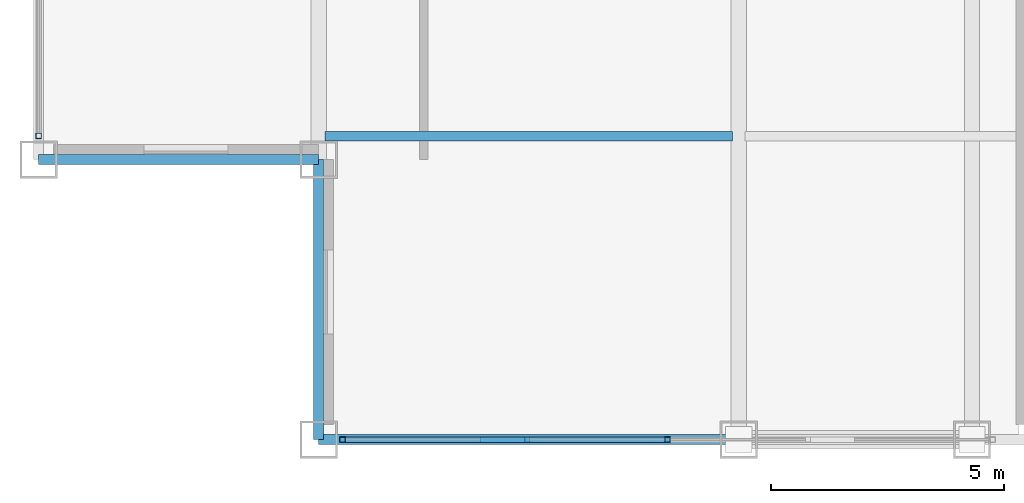
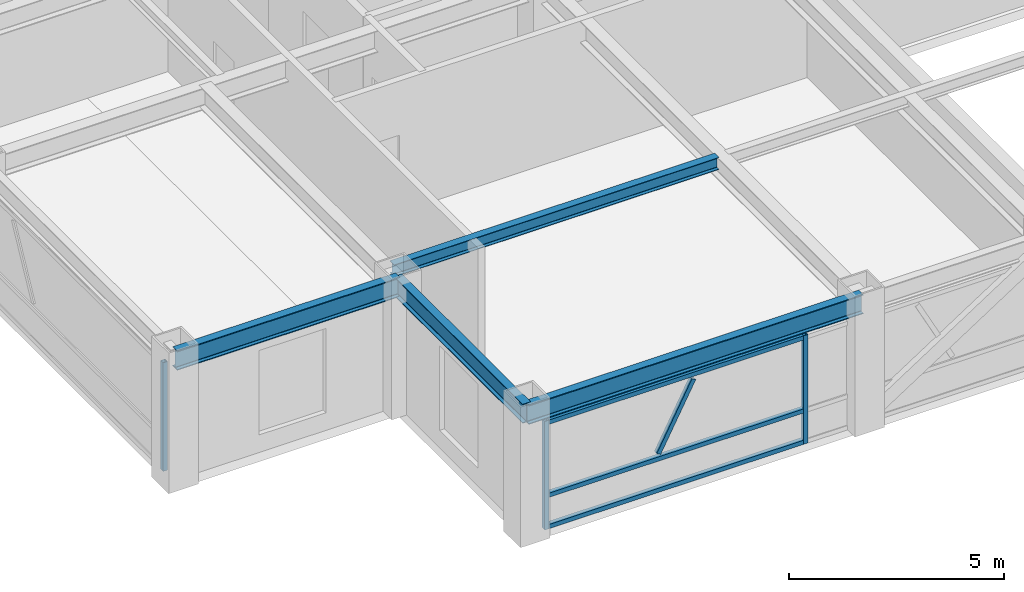
# One storey, part 2 of 29: 7 members, 4 beams, 2 elements without a shape of their own.
"""IFC4 building model written with IfcOpenShell, lengths in metres."""

from ifc_helpers import new_model, si_unit, direction, frame, origin, origin_2d, place, context, subcontext, project, spatial, hollow_rectangle, i_section, extrude, source, transform, mapped, material, material_profile, profile_set, type_object, element, aggregate, save


model = new_model("IFC4")

# Units and contexts
model_context = context("Model", 3, precision=1e-05, world=origin(), true_north=direction((0.0, 1.0)))
body_context = subcontext(model_context, "Body", "Model", "MODEL_VIEW")
ifc_project = project(units=[si_unit("LENGTHUNIT", "METRE"), si_unit("AREAUNIT", "SQUARE_METRE"), si_unit("VOLUMEUNIT", "CUBIC_METRE"), si_unit("PLANEANGLEUNIT", "RADIAN"), si_unit("MASSUNIT", "GRAM", prefix="KILO")], contexts=[model_context])

# Site, building, storey
site_placement = place(None, origin())
site = spatial("IfcSite", under=ifc_project, at=site_placement, CompositionType="ELEMENT")
building_placement = place(site_placement, origin())
building = spatial("IfcBuilding", under=site, at=building_placement, Name="Khorayat Bourse Tower", CompositionType="ELEMENT")
storey_placement = place(building_placement, frame((0.0, 0.0, 354.300048828125)))
storey = spatial("IfcBuildingStorey", under=building, at=storey_placement, Name="L84", CompositionType="ELEMENT", Elevation=354.300048828125)

# Beams
ifc_material_1 = material(Name="Steel ASTM A992 Grade 50", Category="steel")
ifc_material_profile_1 = material_profile(ifc_material_1, i_section(OverallWidth=0.214111328125, OverallDepth=0.549072265625, WebThickness=0.0146484375, FlangeThickness=0.023681640625, FilletRadius=0.013916015625, at=origin_2d()), Name="W530X138")
ifc_profile_set_1 = profile_set([ifc_material_profile_1], Name="Steel ASTM A992 Grade 50")
beam_type_1 = type_object("IfcBeamType", Name="BM-SPAN-530", PredefinedType="SPANDREL", material=ifc_profile_set_1)
shared_shape_1 = source(origin(), body_context, "Body", "SweptSolid", [
    extrude(i_section(OverallWidth=0.214111328125, OverallDepth=0.549072265625, WebThickness=0.0146484375, FlangeThickness=0.023681640625, FilletRadius=0.013916015625, at=origin_2d()), origin(), (0.0, 0.0, 1.0), 9.0),
])
beam_1_placement = place(storey_placement, frame((-20.0, -26.0, 3.46533203125), z_axis=(1.0, 0.0, 0.0), x_axis=(0.0, 1.0, 0.0)))
element("IfcBeam", 1, at=beam_1_placement, inside=storey, type_object=beam_type_1, Name="L84 BM-SPAN-530 BM-L84-SPN-024", PredefinedType="SPANDREL", context=body_context, shape_type="MappedRepresentation", body=[
    mapped(shared_shape_1, transform((0.0, 0.0, 0.0), scale=1.0)),
])
shared_shape_2 = source(origin(), body_context, "Body", "SweptSolid", [
    extrude(i_section(OverallWidth=0.214111328125, OverallDepth=0.549072265625, WebThickness=0.0146484375, FlangeThickness=0.023681640625, FilletRadius=0.013916015625, at=origin_2d()), origin(), (0.0, 0.0, 1.0), 6.0),
])
for number, where, z_axis, x_axis, name in (
    (2, (-26.0, -20.0, 3.46533203125), (1.0, 0.0, 0.0), (0.0, 1.0, 0.0), "L84 BM-SPAN-530 BM-L84-SPN-054"),
    (3, (-20.0, -26.0, 3.46533203125), (0.0, 1.0, 0.0), (-1.0, 0.0, 0.0), "L84 BM-SPAN-530 BM-L84-SPN-055"),
):
    element("IfcBeam", number, at=place(storey_placement, frame(where, z_axis=z_axis, x_axis=x_axis)), inside=storey, type_object=beam_type_1, Name=name, PredefinedType="SPANDREL", context=body_context, shape_type="MappedRepresentation", body=[
        mapped(shared_shape_2, transform((0.0, 0.0, 0.0), scale=1.0)),
    ])
ifc_material_profile_2 = material_profile(ifc_material_1, i_section(OverallWidth=0.202880859375, OverallDepth=0.346923828125, WebThickness=0.0078125, FlangeThickness=0.013427734375, FilletRadius=0.010009765625, at=origin_2d()), Name="W360X64")
ifc_profile_set_2 = profile_set([ifc_material_profile_2], Name="Steel ASTM A992 Grade 50")
beam_type_2 = type_object("IfcBeamType", Name="BM-JOIST-360", PredefinedType="JOIST", material=ifc_profile_set_2)
shared_shape_3 = source(origin(), body_context, "Body", "SweptSolid", [
    extrude(i_section(OverallWidth=0.202880859375, OverallDepth=0.346923828125, WebThickness=0.0078125, FlangeThickness=0.013427734375, FilletRadius=0.010009765625, at=origin_2d()), origin(), (0.0, 0.0, 1.0), 8.740234375),
])
beam_2_placement = place(storey_placement, frame((-19.8701171875, -19.5, 3.56640625), z_axis=(1.0, 0.0, 0.0), x_axis=(0.0, 1.0, 0.0)))
element("IfcBeam", 4, at=beam_2_placement, inside=storey, type_object=beam_type_2, Name="L84 BM-JOIST-360 BM-L84-JSTX-080", PredefinedType="JOIST", context=body_context, shape_type="MappedRepresentation", body=[
    mapped(shared_shape_3, transform((0.0, 0.0, 0.0), scale=1.0)),
])

# Curtain wall, members
ifc_material_2 = material(Name="Aluminium EN AW-6063 T6", Category="aluminium")
curtain_wall_type = type_object("IfcCurtainWallType", Name="CW-SYS-06", PredefinedType="NOTDEFINED", material=ifc_material_2)
curtain_wall_1_placement = place(storey_placement, origin())
curtain_wall_1 = element("IfcCurtainWall", 5, at=curtain_wall_1_placement, inside=storey, type_object=curtain_wall_type, Name="L84 Curtain Wall CW-L84-S1", PredefinedType="NOTDEFINED")
ifc_material_profile_3 = material_profile(ifc_material_2, hollow_rectangle(XDim=0.1201171875, YDim=0.1201171875, WallThickness=0.0048828125, at=origin_2d()), Name="ALU 120x120x5")
ifc_profile_set_3 = profile_set([ifc_material_profile_3], Name="Aluminium EN AW-6063 T6")
member_type_1 = type_object("IfcMemberType", Name="CWM-VERT-120", PredefinedType="MULLION", material=ifc_profile_set_3)
shared_shape_4 = source(origin(), body_context, "Body", "SweptSolid", [
    extrude(hollow_rectangle(XDim=0.1201171875, YDim=0.1201171875, WallThickness=0.0048828125, at=origin_2d()), origin(), (0.0, 0.0, 1.0), 3.08984375),
])
member_1_placement = place(storey_placement, frame((-19.489990234375, -26.0, 0.0), z_axis=(0.0, 0.0, 1.0), x_axis=(0.0, 1.0, 0.0)))
member_1 = element("IfcMember", 6, at=member_1_placement, type_object=member_type_1, Name="CW-L84-S1 Vertical Mullion 1", PredefinedType="MULLION", context=body_context, shape_type="MappedRepresentation", body=[
    mapped(shared_shape_4, transform((0.0, 0.0, 0.0), scale=1.0)),
])
member_2_placement = place(storey_placement, frame((-12.52490234375, -26.0, 0.0), z_axis=(0.0, 0.0, 1.0), x_axis=(0.0, 1.0, 0.0)))
member_2 = element("IfcMember", 7, at=member_2_placement, type_object=member_type_1, Name="CW-L84-S1 Vertical Mullion 2", PredefinedType="MULLION", context=body_context, shape_type="MappedRepresentation", body=[
    mapped(shared_shape_4, transform((0.0, 0.0, 0.0), scale=1.0)),
])

# Curtain wall, member
curtain_wall_2_placement = place(storey_placement, origin())
curtain_wall_2 = element("IfcCurtainWall", 8, at=curtain_wall_2_placement, inside=storey, type_object=curtain_wall_type, Name="L84 Curtain Wall CW-L84-W1", PredefinedType="NOTDEFINED")
member_3_placement = place(storey_placement, frame((-26.0, -19.489990234375, 0.0), z_axis=(0.0, 0.0, 1.0), x_axis=(1.0, 0.0, 0.0)))
member_3 = element("IfcMember", 9, at=member_3_placement, type_object=member_type_1, Name="CW-L84-W1 Vertical Mullion 4", PredefinedType="MULLION", context=body_context, shape_type="MappedRepresentation", body=[
    mapped(shared_shape_4, transform((0.0, 0.0, 0.0), scale=1.0)),
])
aggregate(curtain_wall_2, [member_3])

# Member
ifc_material_profile_4 = material_profile(ifc_material_2, hollow_rectangle(XDim=0.1201171875, YDim=0.1201171875, WallThickness=0.0048828125, at=origin_2d()), Name="ALU 120x120x5")
ifc_profile_set_4 = profile_set([ifc_material_profile_4], Name="Aluminium EN AW-6063 T6")
member_type_2 = type_object("IfcMemberType", Name="CWM-DIAG-120", PredefinedType="MULLION", material=ifc_profile_set_4)
shared_shape_5 = source(origin(), body_context, "Body", "SweptSolid", [
    extrude(hollow_rectangle(XDim=0.1201171875, YDim=0.1201171875, WallThickness=0.0048828125, at=origin_2d()), origin(), (0.0, 0.0, 1.0), 2.0341796875),
])
member_4_placement = place(storey_placement, frame((-16.481201171875, -26.0, 1.08984375), z_axis=(0.465696964104, 0.0, 0.884944256789), x_axis=(0.0, 1.0, 0.0)))
member_4 = element("IfcMember", 10, at=member_4_placement, type_object=member_type_2, Name="CW-L84-S1 Faceted Diagonal Mullion 1", PredefinedType="MULLION", context=body_context, shape_type="MappedRepresentation", body=[
    mapped(shared_shape_5, transform((0.0, 0.0, 0.0), scale=1.0)),
])

ifc_material_profile_5 = material_profile(ifc_material_2, hollow_rectangle(XDim=0.1201171875, YDim=0.1201171875, WallThickness=0.0048828125, at=origin_2d()), Name="ALU 120x120x5")
ifc_profile_set_5 = profile_set([ifc_material_profile_5], Name="Aluminium EN AW-6063 T6")
member_type_3 = type_object("IfcMemberType", Name="CWT-HORZ-120", PredefinedType="USERDEFINED", material=ifc_profile_set_5)
shared_shape_6 = source(origin(), body_context, "Body", "SweptSolid", [
    extrude(hollow_rectangle(XDim=0.1201171875, YDim=0.1201171875, WallThickness=0.0048828125, at=origin_2d()), origin(), (0.0, 0.0, 1.0), 6.844970703125),
])
member_5_placement = place(storey_placement, frame((-19.429931640625, -26.0, 0.06005859375), z_axis=(1.0, 0.0, 0.0), x_axis=(0.0, 1.0, 0.0)))
member_5 = element("IfcMember", 11, at=member_5_placement, type_object=member_type_3, Name="CW-L84-S1 Horizontal Transom 1-1", ObjectType="TRANSOM", PredefinedType="USERDEFINED", context=body_context, shape_type="MappedRepresentation", body=[
    mapped(shared_shape_6, transform((0.0, 0.0, 0.0), scale=1.0)),
])

member_6_placement = place(storey_placement, frame((-19.429931640625, -26.0, 0.949951171875), z_axis=(1.0, 0.0, 0.0), x_axis=(0.0, 1.0, 0.0)))
member_6 = element("IfcMember", 12, at=member_6_placement, type_object=member_type_3, Name="CW-L84-S1 Horizontal Transom 1-2", ObjectType="TRANSOM", PredefinedType="USERDEFINED", context=body_context, shape_type="MappedRepresentation", body=[
    mapped(shared_shape_6, transform((0.0, 0.0, 0.0), scale=1.0)),
])

member_7_placement = place(storey_placement, frame((-19.429931640625, -26.0, 3.030029296875), z_axis=(1.0, 0.0, 0.0), x_axis=(0.0, 1.0, 0.0)))
member_7 = element("IfcMember", 13, at=member_7_placement, type_object=member_type_3, Name="CW-L84-S1 Horizontal Transom 1-3", ObjectType="TRANSOM", PredefinedType="USERDEFINED", context=body_context, shape_type="MappedRepresentation", body=[
    mapped(shared_shape_6, transform((0.0, 0.0, 0.0), scale=1.0)),
])

aggregate(curtain_wall_1, [member_1, member_2, member_5, member_6, member_7, member_4])

save(model, "model.ifc")
